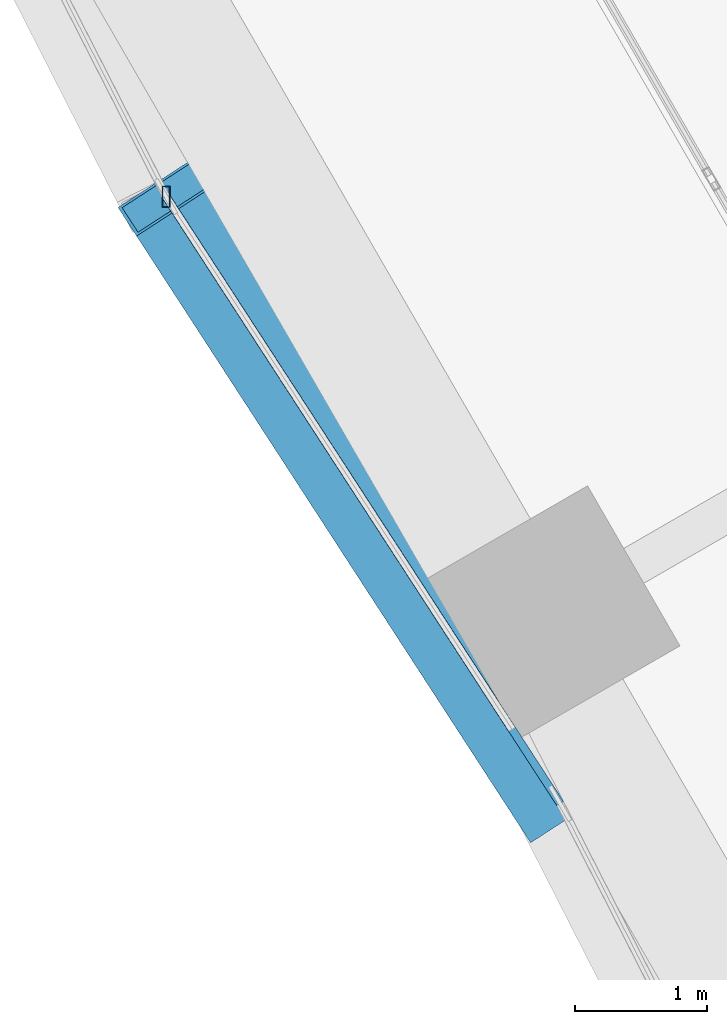
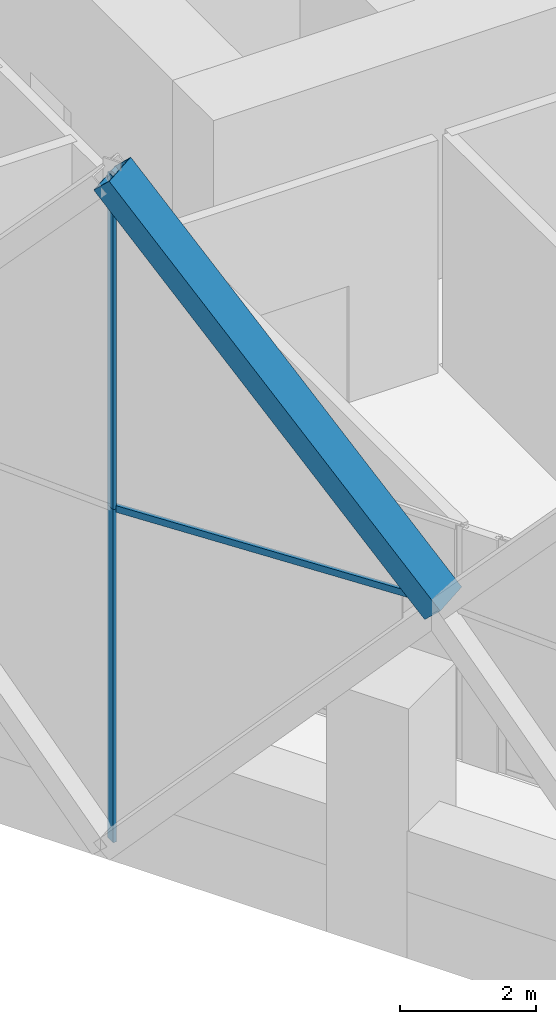
# One storey, part 5 of 46: 4 members, 2 elements without a shape of their own.
"""IFC4 building model written with IfcOpenShell, lengths in metres."""

from ifc_helpers import new_model, si_unit, direction, frame, origin, origin_2d, place, context, subcontext, project, spatial, hollow_rectangle, extrude, material, material_profile, profile_set, type_object, element, aggregate, save


model = new_model("IFC4")

# Units and contexts
model_context = context("Model", 3, precision=1e-05, world=origin(), true_north=direction((0.0, 1.0)))
body_context = subcontext(model_context, "Body", "Model", "MODEL_VIEW")
ifc_project = project(units=[si_unit("LENGTHUNIT", "METRE"), si_unit("AREAUNIT", "SQUARE_METRE"), si_unit("VOLUMEUNIT", "CUBIC_METRE"), si_unit("PLANEANGLEUNIT", "RADIAN"), si_unit("MASSUNIT", "GRAM", prefix="KILO")], contexts=[model_context])

# Site, building, storey
site_placement = place(None, origin())
site = spatial("IfcSite", under=ifc_project, at=site_placement, CompositionType="ELEMENT")
building_placement = place(site_placement, origin())
building = spatial("IfcBuilding", under=site, at=building_placement, Name="Ostrander Bayou Hotel Tower", CompositionType="ELEMENT")
storey_placement = place(building_placement, frame((0.0, 0.0, 23.5)))
storey = spatial("IfcBuildingStorey", under=building, at=storey_placement, Name="L05", CompositionType="ELEMENT", Elevation=23.5)

# Curtain wall, members
ifc_material_1 = material(Name="Aluminium and clear glass", Category="aluminium")
curtain_wall_type = type_object("IfcCurtainWallType", Name="CW-LAT lattice glazing", PredefinedType="NOTDEFINED", material=ifc_material_1)
curtain_wall_1_placement = place(storey_placement, origin())
curtain_wall_1 = element("IfcCurtainWall", 1, at=curtain_wall_1_placement, inside=storey, type_object=curtain_wall_type, Name="CW-LAT L05 SW 1", PredefinedType="NOTDEFINED")
ifc_material_2 = material(Name="Aluminium", Category="aluminium")
ifc_material_profile_1 = material_profile(ifc_material_2, hollow_rectangle(XDim=0.06005859375, YDim=0.159912109375, WallThickness=0.00390625, at=origin_2d()))
ifc_profile_set_1 = profile_set([ifc_material_profile_1], Name="Aluminium")
member_type_1 = type_object("IfcMemberType", Name="CW-LA mullion 60 x 160 mm", PredefinedType="MULLION", material=ifc_profile_set_1)
member_1_placement = place(storey_placement, frame((-19.11328125, -11.034912109375, -0.60009765625), z_axis=(0.0, 0.0, 1.0), x_axis=(1.0, 0.0, 0.0)))
member_1 = element("IfcMember", 2, at=member_1_placement, type_object=member_type_1, Name="CW-LAT mullion 4", PredefinedType="MULLION", context=body_context, shape_type="SweptSolid", body=[
    extrude(hollow_rectangle(XDim=0.06005859375, YDim=0.159912109375, WallThickness=0.00390625, at=origin_2d()), origin(), (0.0, 0.0, 1.0), 6.0),
])
member_2_placement = place(storey_placement, frame((-19.11328125, -11.034912109375, 5.39990234375), z_axis=(0.0, 0.0, 1.0), x_axis=(1.0, 0.0, 0.0)))
member_2 = element("IfcMember", 3, at=member_2_placement, type_object=member_type_1, Name="CW-LAT mullion 5", PredefinedType="MULLION", context=body_context, shape_type="SweptSolid", body=[
    extrude(hollow_rectangle(XDim=0.06005859375, YDim=0.159912109375, WallThickness=0.00390625, at=origin_2d()), origin(), (0.0, 0.0, 1.0), 6.0),
])
aggregate(curtain_wall_1, [member_1, member_2])

# Curtain wall, member
curtain_wall_2_placement = place(storey_placement, origin())
curtain_wall_2 = element("IfcCurtainWall", 4, at=curtain_wall_2_placement, inside=storey, type_object=curtain_wall_type, Name="CW-LAT L05 SW 2", PredefinedType="NOTDEFINED")
ifc_material_3 = material(Name="Aluminium", Category="aluminium")
ifc_material_profile_2 = material_profile(ifc_material_3, hollow_rectangle(XDim=0.06005859375, YDim=0.1201171875, WallThickness=0.00390625, at=origin_2d()))
ifc_profile_set_2 = profile_set([ifc_material_profile_2], Name="Aluminium")
member_type_2 = type_object("IfcMemberType", Name="CW-LA transom 60 x 120 mm", PredefinedType="USERDEFINED", material=ifc_profile_set_2)
member_3_placement = place(storey_placement, frame((-19.11328125, -11.034912109375, 5.39990234375), z_axis=(0.544651812438, -0.838662270052, 0.0), x_axis=(0.838662270052, 0.544651812438, 0.0)))
member_3 = element("IfcMember", 5, at=member_3_placement, type_object=member_type_2, Name="CW-LAT transom 7", ObjectType="TRANSOM", PredefinedType="USERDEFINED", context=body_context, shape_type="SweptSolid", body=[
    extrude(hollow_rectangle(XDim=0.06005859375, YDim=0.1201171875, WallThickness=0.00390625, at=origin_2d()), origin(), (0.0, 0.0, 1.0), 5.48291015625),
])
aggregate(curtain_wall_2, [member_3])

# Member
ifc_material_4 = material(Name="Steel ASTM A572 Gr 50", Category="steel")
ifc_material_profile_3 = material_profile(ifc_material_4, hollow_rectangle(XDim=0.699951171875, YDim=0.35009765625, WallThickness=0.02490234375, at=origin_2d()))
ifc_profile_set_3 = profile_set([ifc_material_profile_3], Name="Steel ASTM A572 Gr 50")
member_type_3 = type_object("IfcMemberType", Name="LT1 lattice member box 700 x 350 x 25 mm", PredefinedType="BRACE", material=ifc_profile_set_3)
member_4_placement = place(storey_placement, frame((-16.126953125, -15.63330078125, 5.39990234375), z_axis=(-0.367415336606, 0.5657511335, 0.738194842416), x_axis=(-0.838662270052, -0.544651812438, 0.0)))
element("IfcMember", 6, at=member_4_placement, inside=storey, type_object=member_type_3, Name="LT1 L05 SW 6", PredefinedType="BRACE", context=body_context, shape_type="SweptSolid", body=[
    extrude(hollow_rectangle(XDim=0.699951171875, YDim=0.35009765625, WallThickness=0.02490234375, at=origin_2d()), origin(), (0.0, 0.0, 1.0), 8.1279296875),
])

save(model, "model.ifc")
